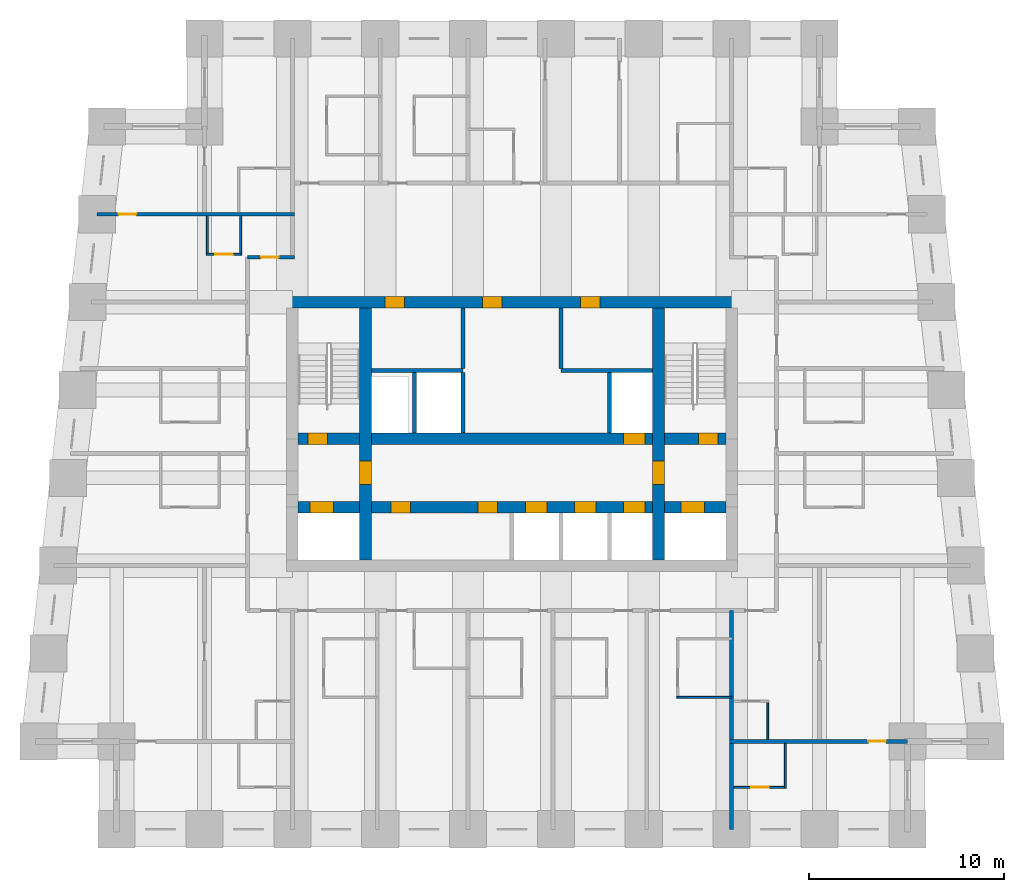
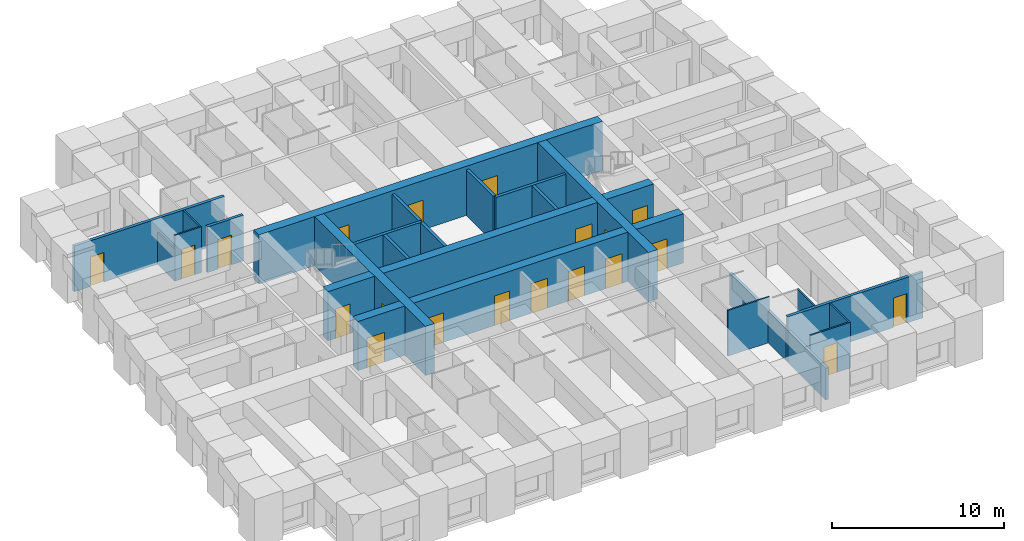
# One storey, part 4 of 8: 23 walls, 20 doors, 20 openings.
"""IFC4 building model written with IfcOpenShell, lengths in metres."""

from ifc_helpers import new_model, si_unit, direction, frame, frame_2d, origin, place, context, subcontext, project, spatial, rectangle, extrude, material, layer, layer_set, type_object, element, fill, save


model = new_model("IFC4")

# Units and contexts
model_context = context("Model", 3, precision=1e-05, world=origin(), true_north=direction((0.0, 1.0)))
body_context = subcontext(model_context, "Body", "Model", "MODEL_VIEW")
ifc_project = project(units=[si_unit("LENGTHUNIT", "METRE"), si_unit("AREAUNIT", "SQUARE_METRE"), si_unit("VOLUMEUNIT", "CUBIC_METRE"), si_unit("PLANEANGLEUNIT", "RADIAN"), si_unit("MASSUNIT", "GRAM", prefix="KILO")], contexts=[model_context])

# Site, building, storey
site_placement = place(None, origin())
site = spatial("IfcSite", under=ifc_project, at=site_placement, CompositionType="ELEMENT")
building_placement = place(site_placement, origin())
building = spatial("IfcBuilding", under=site, at=building_placement, Name="Kilele Tower Hotel", CompositionType="ELEMENT")
storey_placement = place(building_placement, frame((0.0, 0.0, 100.39990234375)))
storey = spatial("IfcBuildingStorey", under=building, at=storey_placement, Name="L25", CompositionType="ELEMENT", Elevation=100.39990234375)

# Walls
ifc_material_1 = material(Name="Moisture-resistant board")
ifc_layer_1 = layer(ifc_material_1, 0.10009765625)
ifc_layer_set_1 = layer_set([ifc_layer_1], Name="Moisture-resistant board")
wall_type_1 = type_object("IfcWallType", Name="Bathroom partition 100", PredefinedType="PLUMBINGWALL", material=ifc_layer_set_1)
wall_1_placement = place(storey_placement, frame((33.199951171875, 6.75, 0.0), z_axis=(0.0, 0.0, 1.0), x_axis=(1.0, 0.0, 0.0)))
element("IfcWall", 1, at=wall_1_placement, inside=storey, type_object=wall_type_1, Name="Bathroom partition 100 L25", PredefinedType="PLUMBINGWALL", context=body_context, shape_type="SweptSolid", body=[
    extrude(rectangle(XDim=2.800048828125, YDim=0.10009765625, at=frame_2d((1.39990234375, 0.0))), origin(), (0.0, 0.0, 1.0), 3.25),
])
wall_2_placement = place(storey_placement, frame((37.85009765625, 4.60009765625, 0.0), z_axis=(0.0, 0.0, 1.0), x_axis=(0.0, 1.0, 0.0)))
element("IfcWall", 2, at=wall_2_placement, inside=storey, type_object=wall_type_1, Name="Bathroom partition 100 L25", PredefinedType="PLUMBINGWALL", context=body_context, shape_type="SweptSolid", body=[
    extrude(rectangle(XDim=2.0, YDim=0.10009765625, at=frame_2d((1.0, 0.0))), origin(), (0.0, 0.0, 1.0), 3.25),
])
wall_3_placement = place(storey_placement, frame((38.75, 4.39990234375, 0.0), z_axis=(0.0, 0.0, 1.0), x_axis=(0.0, -1.0, 0.0)))
element("IfcWall", 3, at=wall_3_placement, inside=storey, type_object=wall_type_1, Name="Bathroom partition 100 L25", PredefinedType="PLUMBINGWALL", context=body_context, shape_type="SweptSolid", body=[
    extrude(rectangle(XDim=2.2998046875, YDim=0.10009765625, at=frame_2d((1.14990234375, 0.0))), origin(), (0.0, 0.0, 1.0), 3.25),
])

# Wall, opening, door
wall_4_placement = place(storey_placement, frame((36.10009765625, 2.14990234375, 0.0), z_axis=(0.0, 0.0, 1.0), x_axis=(1.0, 0.0, 0.0)))
wall_4 = element("IfcWall", 4, at=wall_4_placement, inside=storey, type_object=wall_type_1, Name="Bathroom partition 100 L25", PredefinedType="PLUMBINGWALL", context=body_context, shape_type="SweptSolid", body=[
    extrude(rectangle(XDim=2.699951171875, YDim=0.10009765625, at=frame_2d((1.35009765625, 0.0))), origin(), (0.0, 0.0, 1.0), 3.25),
])
opening_1_placement = place(wall_4_placement, frame((1.7998046875, 0.0, 0.0), z_axis=(0.0, 0.0, 1.0), x_axis=(-1.0, 0.0, 0.0)))
opening_1 = element("IfcOpeningElement", 5, at=opening_1_placement, cuts=wall_4, Name="Opening D2A", PredefinedType="OPENING", context=body_context, shape_type="SweptSolid", body=[
    extrude(rectangle(XDim=0.89990234375, YDim=2.10009765625, at=frame_2d((0.449951171875, 1.050048828125))), frame((0.0, 0.06005859375, 0.0), z_axis=(0.0, -1.0, 0.0), x_axis=(1.0, 0.0, 0.0)), (0.0, 0.0, 1.0), 0.1201171875),
])
ifc_material_2 = material(Name="Timber door leaf in hardwood frame", Category="wood")
door_type_1 = type_object("IfcDoorType", Name="Bathroom door 900", OperationType="SINGLE_SWING_LEFT", PredefinedType="DOOR", material=ifc_material_2)
door_1_placement = place(opening_1_placement, origin())
door_1 = element("IfcDoor", 6, at=door_1_placement, inside=storey, type_object=door_type_1, Name="Bathroom door 2522B", OperationType="SINGLE_SWING_RIGHT", OverallHeight=2.10009765625, OverallWidth=0.89990234375, PredefinedType="DOOR", context=body_context, shape_type="SweptSolid", body=[
    extrude(rectangle(XDim=0.89990234375, YDim=2.10009765625, at=frame_2d((0.449951171875, 1.050048828125))), frame((0.0, 0.02490234375, 0.0), z_axis=(0.0, -1.0, 0.0), x_axis=(1.0, 0.0, 0.0)), (0.0, 0.0, 1.0), 0.050048828125),
])
fill(opening_1, door_1)

# Walls
wall_5_placement = place(storey_placement, frame((9.14990234375, 31.39990234375, 0.0), z_axis=(0.0, 0.0, 1.0), x_axis=(0.0, -1.0, 0.0)))
element("IfcWall", 7, at=wall_5_placement, inside=storey, type_object=wall_type_1, Name="Bathroom partition 100 L25", PredefinedType="PLUMBINGWALL", context=body_context, shape_type="SweptSolid", body=[
    extrude(rectangle(XDim=2.0, YDim=0.10009765625, at=frame_2d((1.0, 0.0))), origin(), (0.0, 0.0, 1.0), 2.25),
])
wall_6_placement = place(storey_placement, frame((10.85009765625, 31.39990234375, 0.0), z_axis=(0.0, 0.0, 1.0), x_axis=(0.0, -1.0, 0.0)))
element("IfcWall", 8, at=wall_6_placement, inside=storey, type_object=wall_type_1, Name="Bathroom partition 100 L25", PredefinedType="PLUMBINGWALL", context=body_context, shape_type="SweptSolid", body=[
    extrude(rectangle(XDim=2.0, YDim=0.10009765625, at=frame_2d((1.0, 0.0))), origin(), (0.0, 0.0, 1.0), 3.25),
])

# Wall, opening, door
wall_7_placement = place(storey_placement, frame((10.89990234375, 29.449951171875, 0.0), z_axis=(0.0, 0.0, 1.0), x_axis=(-1.0, 0.0, 0.0)))
wall_7 = element("IfcWall", 9, at=wall_7_placement, inside=storey, type_object=wall_type_1, Name="Bathroom partition 100 L25", PredefinedType="PLUMBINGWALL", context=body_context, shape_type="SweptSolid", body=[
    extrude(rectangle(XDim=1.7998046875, YDim=0.10009765625, at=frame_2d((0.89990234375, 0.0))), origin(), (0.0, 0.0, 1.0), 3.25),
])
opening_2_placement = place(wall_7_placement, frame((0.449951171875, 0.0, 0.0)))
opening_2 = element("IfcOpeningElement", 10, at=opening_2_placement, cuts=wall_7, Name="Opening D2A", PredefinedType="OPENING", context=body_context, shape_type="SweptSolid", body=[
    extrude(rectangle(XDim=0.89990234375, YDim=2.10009765625, at=frame_2d((0.449951171875, 1.050048828125))), frame((0.0, 0.06005859375, 0.0), z_axis=(0.0, -1.0, 0.0), x_axis=(1.0, 0.0, 0.0)), (0.0, 0.0, 1.0), 0.1201171875),
])
door_2_placement = place(opening_2_placement, origin())
door_2 = element("IfcDoor", 11, at=door_2_placement, inside=storey, type_object=door_type_1, Name="Bathroom door 2526P", OperationType="SINGLE_SWING_LEFT", OverallHeight=2.10009765625, OverallWidth=0.89990234375, PredefinedType="DOOR", context=body_context, shape_type="SweptSolid", body=[
    extrude(rectangle(XDim=0.89990234375, YDim=2.10009765625, at=frame_2d((0.449951171875, 1.050048828125))), frame((0.0, 0.02490234375, 0.0), z_axis=(0.0, -1.0, 0.0), x_axis=(1.0, 0.0, 0.0)), (0.0, 0.0, 1.0), 0.050048828125),
])
fill(opening_2, door_2)

# Wall, openings, doors
ifc_material_3 = material(Name="Concrete C60/75", Category="concrete")
ifc_layer_2 = layer(ifc_material_3, 0.60009765625)
ifc_layer_set_2 = layer_set([ifc_layer_2], Name="Concrete C60/75")
wall_type_2 = type_object("IfcWallType", Name="Core wall 600 C60/75", PredefinedType="SHEAR", material=ifc_layer_set_2)
wall_8_placement = place(storey_placement, frame((36.300048828125, 27.0, 0.0), z_axis=(0.0, 0.0, 1.0), x_axis=(-1.0, 0.0, 0.0)))
wall_8 = element("IfcWall", 12, at=wall_8_placement, inside=storey, type_object=wall_type_2, Name="Core wall N L25", PredefinedType="SHEAR", context=body_context, shape_type="SweptSolid", body=[
    extrude(rectangle(XDim=23.10009765625, YDim=0.60009765625, at=frame_2d((11.550048828125, 0.0))), origin(), (0.0, 0.0, 1.0), 3.5),
])
opening_3_placement = place(wall_8_placement, frame((17.050048828125, 0.0, 0.0)))
opening_3 = element("IfcOpeningElement", 13, at=opening_3_placement, cuts=wall_8, Name="Opening D6", PredefinedType="OPENING", context=body_context, shape_type="SweptSolid", body=[
    extrude(rectangle(XDim=1.0, YDim=2.10009765625, at=frame_2d((0.5, 1.050048828125))), frame((0.0, 0.31005859375, 0.0), z_axis=(0.0, -1.0, 0.0), x_axis=(1.0, 0.0, 0.0)), (0.0, 0.0, 1.0), 0.6201171875),
])
opening_4_placement = place(wall_8_placement, frame((12.050048828125, 0.0, 0.0)))
opening_4 = element("IfcOpeningElement", 14, at=opening_4_placement, cuts=wall_8, Name="Opening D6", PredefinedType="OPENING", context=body_context, shape_type="SweptSolid", body=[
    extrude(rectangle(XDim=1.0, YDim=2.10009765625, at=frame_2d((0.5, 1.050048828125))), frame((0.0, 0.31005859375, 0.0), z_axis=(0.0, -1.0, 0.0), x_axis=(1.0, 0.0, 0.0)), (0.0, 0.0, 1.0), 0.6201171875),
])
opening_5_placement = place(wall_8_placement, frame((7.050048828125, 0.0, 0.0)))
opening_5 = element("IfcOpeningElement", 15, at=opening_5_placement, cuts=wall_8, Name="Opening D6", PredefinedType="OPENING", context=body_context, shape_type="SweptSolid", body=[
    extrude(rectangle(XDim=1.0, YDim=2.10009765625, at=frame_2d((0.5, 1.050048828125))), frame((0.0, 0.31005859375, 0.0), z_axis=(0.0, -1.0, 0.0), x_axis=(1.0, 0.0, 0.0)), (0.0, 0.0, 1.0), 0.6201171875),
])
ifc_material_4 = material(Name="Timber door leaf in hardwood frame", Category="wood")
door_type_2 = type_object("IfcDoorType", Name="Riser door 1000", OperationType="SINGLE_SWING_LEFT", PredefinedType="DOOR", material=ifc_material_4)
door_3_placement = place(opening_3_placement, origin())
door_3 = element("IfcDoor", 16, at=door_3_placement, inside=storey, type_object=door_type_2, Name="Service riser door L25", OperationType="SINGLE_SWING_RIGHT", OverallHeight=2.10009765625, OverallWidth=1.0, PredefinedType="DOOR", context=body_context, shape_type="SweptSolid", body=[
    extrude(rectangle(XDim=1.0, YDim=2.10009765625, at=frame_2d((0.5, 1.050048828125))), frame((0.0, 0.2998046875, 0.0), z_axis=(0.0, -1.0, 0.0), x_axis=(1.0, 0.0, 0.0)), (0.0, 0.0, 1.0), 0.599609375),
])
fill(opening_3, door_3)
door_4_placement = place(opening_4_placement, origin())
door_4 = element("IfcDoor", 17, at=door_4_placement, inside=storey, type_object=door_type_2, Name="Housekeeping linen room door L25", OperationType="SINGLE_SWING_RIGHT", OverallHeight=2.10009765625, OverallWidth=1.0, PredefinedType="DOOR", context=body_context, shape_type="SweptSolid", body=[
    extrude(rectangle(XDim=1.0, YDim=2.10009765625, at=frame_2d((0.5, 1.050048828125))), frame((0.0, 0.2998046875, 0.0), z_axis=(0.0, -1.0, 0.0), x_axis=(1.0, 0.0, 0.0)), (0.0, 0.0, 1.0), 0.599609375),
])
fill(opening_4, door_4)
door_5_placement = place(opening_5_placement, origin())
door_5 = element("IfcDoor", 18, at=door_5_placement, inside=storey, type_object=door_type_2, Name="Electrical riser door L25", OperationType="SINGLE_SWING_RIGHT", OverallHeight=2.10009765625, OverallWidth=1.0, PredefinedType="DOOR", context=body_context, shape_type="SweptSolid", body=[
    extrude(rectangle(XDim=1.0, YDim=2.10009765625, at=frame_2d((0.5, 1.050048828125))), frame((0.0, 0.2998046875, 0.0), z_axis=(0.0, -1.0, 0.0), x_axis=(1.0, 0.0, 0.0)), (0.0, 0.0, 1.0), 0.599609375),
])
fill(opening_5, door_5)

# Wall, opening, door
wall_9_placement = place(storey_placement, frame((17.25, 13.800048828125, 0.0), z_axis=(0.0, 0.0, 1.0), x_axis=(0.0, 1.0, 0.0)))
wall_9 = element("IfcWall", 19, at=wall_9_placement, inside=storey, type_object=wall_type_2, Name="Core wall IW L25", PredefinedType="SHEAR", context=body_context, shape_type="SweptSolid", body=[
    extrude(rectangle(XDim=12.89990234375, YDim=0.60009765625, at=frame_2d((6.449951171875, 0.0))), origin(), (0.0, 0.0, 1.0), 3.5),
])
opening_6_placement = place(wall_9_placement, frame((3.85009765625, 0.0, 0.0)))
opening_6 = element("IfcOpeningElement", 20, at=opening_6_placement, cuts=wall_9, Name="Opening D4", PredefinedType="OPENING", context=body_context, shape_type="SweptSolid", body=[
    extrude(rectangle(XDim=1.199951171875, YDim=2.10009765625, at=frame_2d((0.60009765625, 1.050048828125))), frame((0.0, 0.31005859375, 0.0), z_axis=(0.0, -1.0, 0.0), x_axis=(1.0, 0.0, 0.0)), (0.0, 0.0, 1.0), 0.6201171875),
])
ifc_material_5 = material(Name="Timber door leaf in hardwood frame", Category="wood")
door_type_3 = type_object("IfcDoorType", Name="Firefighting lobby door 1200", OperationType="SINGLE_SWING_LEFT", PredefinedType="DOOR", material=ifc_material_5)
door_6_placement = place(opening_6_placement, origin())
door_6 = element("IfcDoor", 21, at=door_6_placement, inside=storey, type_object=door_type_3, Name="Lobby door L25", OperationType="SINGLE_SWING_LEFT", OverallHeight=2.10009765625, OverallWidth=1.199951171875, PredefinedType="DOOR", context=body_context, shape_type="SweptSolid", body=[
    extrude(rectangle(XDim=1.199951171875, YDim=2.10009765625, at=frame_2d((0.60009765625, 1.050048828125))), frame((0.0, 0.2998046875, 0.0), z_axis=(0.0, -1.0, 0.0), x_axis=(1.0, 0.0, 0.0)), (0.0, 0.0, 1.0), 0.599609375),
])
fill(opening_6, door_6)

wall_10_placement = place(storey_placement, frame((32.25, 13.800048828125, 0.0), z_axis=(0.0, 0.0, 1.0), x_axis=(0.0, 1.0, 0.0)))
wall_10 = element("IfcWall", 22, at=wall_10_placement, inside=storey, type_object=wall_type_2, Name="Core wall IE L25", PredefinedType="SHEAR", context=body_context, shape_type="SweptSolid", body=[
    extrude(rectangle(XDim=12.89990234375, YDim=0.60009765625, at=frame_2d((6.449951171875, 0.0))), origin(), (0.0, 0.0, 1.0), 3.5),
])
opening_7_placement = place(wall_10_placement, frame((5.050048828125, 0.0, 0.0), z_axis=(0.0, 0.0, 1.0), x_axis=(-1.0, 0.0, 0.0)))
opening_7 = element("IfcOpeningElement", 23, at=opening_7_placement, cuts=wall_10, Name="Opening D4", PredefinedType="OPENING", context=body_context, shape_type="SweptSolid", body=[
    extrude(rectangle(XDim=1.199951171875, YDim=2.10009765625, at=frame_2d((0.60009765625, 1.050048828125))), frame((0.0, 0.31005859375, 0.0), z_axis=(0.0, -1.0, 0.0), x_axis=(1.0, 0.0, 0.0)), (0.0, 0.0, 1.0), 0.6201171875),
])
door_7_placement = place(opening_7_placement, origin())
door_7 = element("IfcDoor", 24, at=door_7_placement, inside=storey, type_object=door_type_3, Name="Lobby door L25", OperationType="SINGLE_SWING_RIGHT", OverallHeight=2.10009765625, OverallWidth=1.199951171875, PredefinedType="DOOR", context=body_context, shape_type="SweptSolid", body=[
    extrude(rectangle(XDim=1.199951171875, YDim=2.10009765625, at=frame_2d((0.60009765625, 1.050048828125))), frame((0.0, 0.2998046875, 0.0), z_axis=(0.0, -1.0, 0.0), x_axis=(1.0, 0.0, 0.0)), (0.0, 0.0, 1.0), 0.599609375),
])
fill(opening_7, door_7)

# Wall, openings, doors
wall_11_placement = place(storey_placement, frame((13.800048828125, 16.5, 0.0), z_axis=(0.0, 0.0, 1.0), x_axis=(1.0, 0.0, 0.0)))
wall_11 = element("IfcWall", 25, at=wall_11_placement, inside=storey, type_object=wall_type_2, Name="Core wall LS L25", PredefinedType="SHEAR", context=body_context, shape_type="SweptSolid", body=[
    extrude(rectangle(XDim=21.89990234375, YDim=0.60009765625, at=frame_2d((10.949951171875, 0.0))), origin(), (0.0, 0.0, 1.0), 3.5),
])
opening_8_placement = place(wall_11_placement, frame((11.64990234375, 0.0, 0.0)))
opening_8 = element("IfcOpeningElement", 26, at=opening_8_placement, cuts=wall_11, Name="Opening LD1", PredefinedType="OPENING", context=body_context, shape_type="SweptSolid", body=[
    extrude(rectangle(XDim=1.10009765625, YDim=2.10009765625, at=frame_2d((0.550048828125, 1.050048828125))), frame((0.0, 0.31005859375, 0.0), z_axis=(0.0, -1.0, 0.0), x_axis=(1.0, 0.0, 0.0)), (0.0, 0.0, 1.0), 0.6201171875),
])
opening_9_placement = place(wall_11_placement, frame((14.14990234375, 0.0, 0.0)))
opening_9 = element("IfcOpeningElement", 27, at=opening_9_placement, cuts=wall_11, Name="Opening LD1", PredefinedType="OPENING", context=body_context, shape_type="SweptSolid", body=[
    extrude(rectangle(XDim=1.10009765625, YDim=2.10009765625, at=frame_2d((0.550048828125, 1.050048828125))), frame((0.0, 0.31005859375, 0.0), z_axis=(0.0, -1.0, 0.0), x_axis=(1.0, 0.0, 0.0)), (0.0, 0.0, 1.0), 0.6201171875),
])
opening_10_placement = place(wall_11_placement, frame((16.64990234375, 0.0, 0.0)))
opening_10 = element("IfcOpeningElement", 28, at=opening_10_placement, cuts=wall_11, Name="Opening LD1", PredefinedType="OPENING", context=body_context, shape_type="SweptSolid", body=[
    extrude(rectangle(XDim=1.10009765625, YDim=2.10009765625, at=frame_2d((0.550048828125, 1.050048828125))), frame((0.0, 0.31005859375, 0.0), z_axis=(0.0, -1.0, 0.0), x_axis=(1.0, 0.0, 0.0)), (0.0, 0.0, 1.0), 0.6201171875),
])
opening_11_placement = place(wall_11_placement, frame((5.75, 0.0, 0.0), z_axis=(0.0, 0.0, 1.0), x_axis=(-1.0, 0.0, 0.0)))
opening_11 = element("IfcOpeningElement", 29, at=opening_11_placement, cuts=wall_11, Name="Opening D11", PredefinedType="OPENING", context=body_context, shape_type="SweptSolid", body=[
    extrude(rectangle(XDim=1.0, YDim=2.10009765625, at=frame_2d((0.5, 1.050048828125))), frame((0.0, 0.31005859375, 0.0), z_axis=(0.0, -1.0, 0.0), x_axis=(1.0, 0.0, 0.0)), (0.0, 0.0, 1.0), 0.6201171875),
])
opening_12_placement = place(wall_11_placement, frame((10.199951171875, 0.0, 0.0), z_axis=(0.0, 0.0, 1.0), x_axis=(-1.0, 0.0, 0.0)))
opening_12 = element("IfcOpeningElement", 30, at=opening_12_placement, cuts=wall_11, Name="Opening D11", PredefinedType="OPENING", context=body_context, shape_type="SweptSolid", body=[
    extrude(rectangle(XDim=1.0, YDim=2.10009765625, at=frame_2d((0.5, 1.050048828125))), frame((0.0, 0.31005859375, 0.0), z_axis=(0.0, -1.0, 0.0), x_axis=(1.0, 0.0, 0.0)), (0.0, 0.0, 1.0), 0.6201171875),
])
opening_13_placement = place(wall_11_placement, frame((0.60009765625, 0.0, 0.0)))
opening_13 = element("IfcOpeningElement", 31, at=opening_13_placement, cuts=wall_11, Name="Opening LD2", PredefinedType="OPENING", context=body_context, shape_type="SweptSolid", body=[
    extrude(rectangle(XDim=1.199951171875, YDim=2.10009765625, at=frame_2d((0.60009765625, 1.050048828125))), frame((0.0, 0.31005859375, 0.0), z_axis=(0.0, -1.0, 0.0), x_axis=(1.0, 0.0, 0.0)), (0.0, 0.0, 1.0), 0.6201171875),
])
opening_14_placement = place(wall_11_placement, frame((19.60009765625, 0.0, 0.0)))
opening_14 = element("IfcOpeningElement", 32, at=opening_14_placement, cuts=wall_11, Name="Opening LD2", PredefinedType="OPENING", context=body_context, shape_type="SweptSolid", body=[
    extrude(rectangle(XDim=1.199951171875, YDim=2.10009765625, at=frame_2d((0.60009765625, 1.050048828125))), frame((0.0, 0.31005859375, 0.0), z_axis=(0.0, -1.0, 0.0), x_axis=(1.0, 0.0, 0.0)), (0.0, 0.0, 1.0), 0.6201171875),
])
ifc_material_6 = material(Name="Timber door leaf in hardwood frame", Category="wood")
door_type_4 = type_object("IfcDoorType", Name="Core store door 1000", OperationType="SINGLE_SWING_LEFT", PredefinedType="DOOR", material=ifc_material_6)
door_8_placement = place(opening_11_placement, origin())
door_8 = element("IfcDoor", 33, at=door_8_placement, inside=storey, type_object=door_type_4, Name="Core room door L1 L25", OperationType="SINGLE_SWING_RIGHT", OverallHeight=2.10009765625, OverallWidth=1.0, PredefinedType="DOOR", context=body_context, shape_type="SweptSolid", body=[
    extrude(rectangle(XDim=1.0, YDim=2.10009765625, at=frame_2d((0.5, 1.050048828125))), frame((0.0, 0.2998046875, 0.0), z_axis=(0.0, -1.0, 0.0), x_axis=(1.0, 0.0, 0.0)), (0.0, 0.0, 1.0), 0.599609375),
])
fill(opening_11, door_8)
door_9_placement = place(opening_12_placement, origin())
door_9 = element("IfcDoor", 34, at=door_9_placement, inside=storey, type_object=door_type_4, Name="Core room door L3 L25", OperationType="SINGLE_SWING_LEFT", OverallHeight=2.10009765625, OverallWidth=1.0, PredefinedType="DOOR", context=body_context, shape_type="SweptSolid", body=[
    extrude(rectangle(XDim=1.0, YDim=2.10009765625, at=frame_2d((0.5, 1.050048828125))), frame((0.0, 0.2998046875, 0.0), z_axis=(0.0, -1.0, 0.0), x_axis=(1.0, 0.0, 0.0)), (0.0, 0.0, 1.0), 0.599609375),
])
fill(opening_12, door_9)
ifc_material_7 = material(Name="Steel lift landing door", Category="steel")
door_type_5 = type_object("IfcDoorType", Name="Firefighting lift landing door 1200", OperationType="SLIDING_TO_LEFT", PredefinedType="DOOR", material=ifc_material_7)
door_10_placement = place(opening_13_placement, origin())
door_10 = element("IfcDoor", 35, at=door_10_placement, inside=storey, type_object=door_type_5, Name="Landing door FFW L25", OperationType="SLIDING_TO_LEFT", OverallHeight=2.10009765625, OverallWidth=1.199951171875, PredefinedType="DOOR", context=body_context, shape_type="SweptSolid", body=[
    extrude(rectangle(XDim=1.199951171875, YDim=2.10009765625, at=frame_2d((0.60009765625, 1.050048828125))), frame((0.0, 0.2998046875, 0.0), z_axis=(0.0, -1.0, 0.0), x_axis=(1.0, 0.0, 0.0)), (0.0, 0.0, 1.0), 0.599609375),
])
fill(opening_13, door_10)
door_11_placement = place(opening_14_placement, origin())
door_11 = element("IfcDoor", 36, at=door_11_placement, inside=storey, type_object=door_type_5, Name="Landing door FFE L25", OperationType="SLIDING_TO_LEFT", OverallHeight=2.10009765625, OverallWidth=1.199951171875, PredefinedType="DOOR", context=body_context, shape_type="SweptSolid", body=[
    extrude(rectangle(XDim=1.199951171875, YDim=2.10009765625, at=frame_2d((0.60009765625, 1.050048828125))), frame((0.0, 0.2998046875, 0.0), z_axis=(0.0, -1.0, 0.0), x_axis=(1.0, 0.0, 0.0)), (0.0, 0.0, 1.0), 0.599609375),
])
fill(opening_14, door_11)
ifc_material_8 = material(Name="Steel lift landing door", Category="steel")
door_type_6 = type_object("IfcDoorType", Name="Lift landing door 1100", OperationType="SLIDING_TO_LEFT", PredefinedType="DOOR", material=ifc_material_8)
door_12_placement = place(opening_8_placement, origin())
door_12 = element("IfcDoor", 37, at=door_12_placement, inside=storey, type_object=door_type_6, Name="Landing door M1 L25", OperationType="SLIDING_TO_LEFT", OverallHeight=2.10009765625, OverallWidth=1.10009765625, PredefinedType="DOOR", context=body_context, shape_type="SweptSolid", body=[
    extrude(rectangle(XDim=1.10009765625, YDim=2.10009765625, at=frame_2d((0.550048828125, 1.050048828125))), frame((0.0, 0.2998046875, 0.0), z_axis=(0.0, -1.0, 0.0), x_axis=(1.0, 0.0, 0.0)), (0.0, 0.0, 1.0), 0.599609375),
])
fill(opening_8, door_12)
door_13_placement = place(opening_9_placement, origin())
door_13 = element("IfcDoor", 38, at=door_13_placement, inside=storey, type_object=door_type_6, Name="Landing door M2 L25", OperationType="SLIDING_TO_LEFT", OverallHeight=2.10009765625, OverallWidth=1.10009765625, PredefinedType="DOOR", context=body_context, shape_type="SweptSolid", body=[
    extrude(rectangle(XDim=1.10009765625, YDim=2.10009765625, at=frame_2d((0.550048828125, 1.050048828125))), frame((0.0, 0.2998046875, 0.0), z_axis=(0.0, -1.0, 0.0), x_axis=(1.0, 0.0, 0.0)), (0.0, 0.0, 1.0), 0.599609375),
])
fill(opening_9, door_13)
door_14_placement = place(opening_10_placement, origin())
door_14 = element("IfcDoor", 39, at=door_14_placement, inside=storey, type_object=door_type_6, Name="Landing door M3 L25", OperationType="SLIDING_TO_LEFT", OverallHeight=2.10009765625, OverallWidth=1.10009765625, PredefinedType="DOOR", context=body_context, shape_type="SweptSolid", body=[
    extrude(rectangle(XDim=1.10009765625, YDim=2.10009765625, at=frame_2d((0.550048828125, 1.050048828125))), frame((0.0, 0.2998046875, 0.0), z_axis=(0.0, -1.0, 0.0), x_axis=(1.0, 0.0, 0.0)), (0.0, 0.0, 1.0), 0.599609375),
])
fill(opening_10, door_14)

wall_12_placement = place(storey_placement, frame((13.800048828125, 20.0, 0.0), z_axis=(0.0, 0.0, 1.0), x_axis=(1.0, 0.0, 0.0)))
wall_12 = element("IfcWall", 40, at=wall_12_placement, inside=storey, type_object=wall_type_2, Name="Core wall LN L25", PredefinedType="SHEAR", context=body_context, shape_type="SweptSolid", body=[
    extrude(rectangle(XDim=21.89990234375, YDim=0.60009765625, at=frame_2d((10.949951171875, 0.0))), origin(), (0.0, 0.0, 1.0), 3.5),
])
opening_15_placement = place(wall_12_placement, frame((0.5, 0.0, 0.0)))
opening_15 = element("IfcOpeningElement", 41, at=opening_15_placement, cuts=wall_12, Name="Opening D5", PredefinedType="OPENING", context=body_context, shape_type="SweptSolid", body=[
    extrude(rectangle(XDim=1.0, YDim=2.10009765625, at=frame_2d((0.5, 1.050048828125))), frame((0.0, 0.31005859375, 0.0), z_axis=(0.0, -1.0, 0.0), x_axis=(1.0, 0.0, 0.0)), (0.0, 0.0, 1.0), 0.6201171875),
])
opening_16_placement = place(wall_12_placement, frame((20.5, 0.0, 0.0)))
opening_16 = element("IfcOpeningElement", 42, at=opening_16_placement, cuts=wall_12, Name="Opening D5", PredefinedType="OPENING", context=body_context, shape_type="SweptSolid", body=[
    extrude(rectangle(XDim=1.0, YDim=2.10009765625, at=frame_2d((0.5, 1.050048828125))), frame((0.0, 0.31005859375, 0.0), z_axis=(0.0, -1.0, 0.0), x_axis=(1.0, 0.0, 0.0)), (0.0, 0.0, 1.0), 0.6201171875),
])
opening_17_placement = place(wall_12_placement, frame((16.64990234375, 0.0, 0.0)))
opening_17 = element("IfcOpeningElement", 43, at=opening_17_placement, cuts=wall_12, Name="Opening LD1", PredefinedType="OPENING", context=body_context, shape_type="SweptSolid", body=[
    extrude(rectangle(XDim=1.10009765625, YDim=2.10009765625, at=frame_2d((0.550048828125, 1.050048828125))), frame((0.0, 0.31005859375, 0.0), z_axis=(0.0, -1.0, 0.0), x_axis=(1.0, 0.0, 0.0)), (0.0, 0.0, 1.0), 0.6201171875),
])
door_15_placement = place(opening_17_placement, origin())
door_15 = element("IfcDoor", 44, at=door_15_placement, inside=storey, type_object=door_type_6, Name="Landing door G1 L25", OperationType="SLIDING_TO_LEFT", OverallHeight=2.10009765625, OverallWidth=1.10009765625, PredefinedType="DOOR", context=body_context, shape_type="SweptSolid", body=[
    extrude(rectangle(XDim=1.10009765625, YDim=2.10009765625, at=frame_2d((0.550048828125, 1.050048828125))), frame((0.0, 0.2998046875, 0.0), z_axis=(0.0, -1.0, 0.0), x_axis=(1.0, 0.0, 0.0)), (0.0, 0.0, 1.0), 0.599609375),
])
fill(opening_17, door_15)
ifc_material_9 = material(Name="Timber door leaf in hardwood frame", Category="wood")
door_type_7 = type_object("IfcDoorType", Name="Stair door 1000", OperationType="SINGLE_SWING_LEFT", PredefinedType="DOOR", material=ifc_material_9)
door_16_placement = place(opening_15_placement, origin())
door_16 = element("IfcDoor", 45, at=door_16_placement, inside=storey, type_object=door_type_7, Name="Stair 1 door L25", OperationType="SINGLE_SWING_LEFT", OverallHeight=2.10009765625, OverallWidth=1.0, PredefinedType="DOOR", context=body_context, shape_type="SweptSolid", body=[
    extrude(rectangle(XDim=1.0, YDim=2.10009765625, at=frame_2d((0.5, 1.050048828125))), frame((0.0, 0.2998046875, 0.0), z_axis=(0.0, -1.0, 0.0), x_axis=(1.0, 0.0, 0.0)), (0.0, 0.0, 1.0), 0.599609375),
])
fill(opening_15, door_16)
door_17_placement = place(opening_16_placement, origin())
door_17 = element("IfcDoor", 46, at=door_17_placement, inside=storey, type_object=door_type_7, Name="Stair 2 door L25", OperationType="SINGLE_SWING_RIGHT", OverallHeight=2.10009765625, OverallWidth=1.0, PredefinedType="DOOR", context=body_context, shape_type="SweptSolid", body=[
    extrude(rectangle(XDim=1.0, YDim=2.10009765625, at=frame_2d((0.5, 1.050048828125))), frame((0.0, 0.2998046875, 0.0), z_axis=(0.0, -1.0, 0.0), x_axis=(1.0, 0.0, 0.0)), (0.0, 0.0, 1.0), 0.599609375),
])
fill(opening_16, door_17)

# Wall, opening, door
ifc_material_10 = material(Name="Blockwork, plastered both sides", Category="masonry")
ifc_layer_3 = layer(ifc_material_10, 0.199951171875)
ifc_layer_set_3 = layer_set([ifc_layer_3], Name="Blockwork, plastered both sides")
wall_type_3 = type_object("IfcWallType", Name="Corridor wall 200", PredefinedType="PARTITIONING", material=ifc_layer_set_3)
wall_13_placement = place(storey_placement, frame((11.199951171875, 29.300048828125, 0.0), z_axis=(0.0, 0.0, 1.0), x_axis=(1.0, 0.0, 0.0)))
wall_13 = element("IfcWall", 47, at=wall_13_placement, inside=storey, type_object=wall_type_3, Name="Corridor wall 200 L25", PredefinedType="PARTITIONING", context=body_context, shape_type="SweptSolid", body=[
    extrude(rectangle(XDim=2.400146484375, YDim=0.199951171875, at=frame_2d((1.2001953125, 0.0))), origin(), (0.0, 0.0, 1.0), 3.25),
])
opening_18_placement = place(wall_13_placement, frame((0.699951171875, 0.0, 0.0)))
opening_18 = element("IfcOpeningElement", 48, at=opening_18_placement, cuts=wall_13, Name="Opening D1", PredefinedType="OPENING", context=body_context, shape_type="SweptSolid", body=[
    extrude(rectangle(XDim=0.89990234375, YDim=2.10009765625, at=frame_2d((0.449951171875, 1.050048828125))), frame((0.0, 0.10986328125, 0.0), z_axis=(0.0, -1.0, 0.0), x_axis=(1.0, 0.0, 0.0)), (0.0, 0.0, 1.0), 0.219970703125),
])
ifc_material_11 = material(Name="Timber door leaf in hardwood frame", Category="wood")
door_type_8 = type_object("IfcDoorType", Name="Guest room entrance door 900", OperationType="SINGLE_SWING_LEFT", PredefinedType="DOOR", material=ifc_material_11)
door_18_placement = place(opening_18_placement, origin())
door_18 = element("IfcDoor", 49, at=door_18_placement, inside=storey, type_object=door_type_8, Name="Room entrance 2526", OperationType="SINGLE_SWING_RIGHT", OverallHeight=2.10009765625, OverallWidth=0.89990234375, PredefinedType="DOOR", context=body_context, shape_type="SweptSolid", body=[
    extrude(rectangle(XDim=0.89990234375, YDim=2.10009765625, at=frame_2d((0.449951171875, 1.050048828125))), frame((0.0, 0.02490234375, 0.0), z_axis=(0.0, -1.0, 0.0), x_axis=(1.0, 0.0, 0.0)), (0.0, 0.0, 1.0), 0.050048828125),
])
fill(opening_18, door_18)

# Wall
ifc_material_12 = material(Name="Blockwork, plastered both sides", Category="masonry")
ifc_layer_4 = layer(ifc_material_12, 0.199951171875)
ifc_layer_set_4 = layer_set([ifc_layer_4], Name="Blockwork, plastered both sides")
wall_type_4 = type_object("IfcWallType", Name="Party wall 200", PredefinedType="PARTITIONING", material=ifc_layer_set_4)
wall_14_placement = place(storey_placement, frame((36.0, 11.199951171875, 0.0), z_axis=(0.0, 0.0, 1.0), x_axis=(0.0, -1.0, 0.0)))
element("IfcWall", 50, at=wall_14_placement, inside=storey, type_object=wall_type_4, Name="Party wall 200 L25", PredefinedType="PARTITIONING", context=body_context, shape_type="SweptSolid", body=[
    extrude(rectangle(XDim=11.199951171875, YDim=0.199951171875, at=frame_2d((5.60009765625, 0.0))), origin(), (0.0, 0.0, 1.0), 2.25),
])

# Wall, opening, door
wall_15_placement = place(storey_placement, frame((35.89990234375, 4.5, 0.0), z_axis=(0.0, 0.0, 1.0), x_axis=(1.0, 0.0, 0.0)))
wall_15 = element("IfcWall", 51, at=wall_15_placement, inside=storey, type_object=wall_type_4, Name="Party wall 200 L25", PredefinedType="PARTITIONING", context=body_context, shape_type="SweptSolid", body=[
    extrude(rectangle(XDim=9.10009765625, YDim=0.199951171875, at=frame_2d((4.550048828125, 0.0))), origin(), (0.0, 0.0, 1.0), 3.25),
])
opening_19_placement = place(wall_15_placement, frame((7.10009765625, 0.0, 0.0)))
opening_19 = element("IfcOpeningElement", 52, at=opening_19_placement, cuts=wall_15, Name="Opening D3", PredefinedType="OPENING", context=body_context, shape_type="SweptSolid", body=[
    extrude(rectangle(XDim=0.89990234375, YDim=2.10009765625, at=frame_2d((0.449951171875, 1.050048828125))), frame((0.0, 0.10986328125, 0.0), z_axis=(0.0, -1.0, 0.0), x_axis=(1.0, 0.0, 0.0)), (0.0, 0.0, 1.0), 0.219970703125),
])
ifc_material_13 = material(Name="Timber door leaf in hardwood frame", Category="wood")
door_type_9 = type_object("IfcDoorType", Name="Suite internal door 900", OperationType="SINGLE_SWING_LEFT", PredefinedType="DOOR", material=ifc_material_13)
door_19_placement = place(opening_19_placement, origin())
door_19 = element("IfcDoor", 53, at=door_19_placement, inside=storey, type_object=door_type_9, Name="Suite door 2522", OperationType="SINGLE_SWING_RIGHT", OverallHeight=2.10009765625, OverallWidth=0.89990234375, PredefinedType="DOOR", context=body_context, shape_type="SweptSolid", body=[
    extrude(rectangle(XDim=0.89990234375, YDim=2.10009765625, at=frame_2d((0.449951171875, 1.050048828125))), frame((0.0, 0.02490234375, 0.0), z_axis=(0.0, -1.0, 0.0), x_axis=(1.0, 0.0, 0.0)), (0.0, 0.0, 1.0), 0.050048828125),
])
fill(opening_19, door_19)

wall_16_placement = place(storey_placement, frame((13.60009765625, 31.5, 0.0), z_axis=(0.0, 0.0, 1.0), x_axis=(-1.0, 0.0, 0.0)))
wall_16 = element("IfcWall", 54, at=wall_16_placement, inside=storey, type_object=wall_type_4, Name="Party wall 200 L25", PredefinedType="PARTITIONING", context=body_context, shape_type="SweptSolid", body=[
    extrude(rectangle(XDim=10.09912109375, YDim=0.199951171875, at=frame_2d((5.049560546875, 0.0))), origin(), (0.0, 0.0, 1.0), 3.25),
])
opening_20_placement = place(wall_16_placement, frame((8.9990234375, 0.0, 0.0), z_axis=(0.0, 0.0, 1.0), x_axis=(-1.0, 0.0, 0.0)))
opening_20 = element("IfcOpeningElement", 55, at=opening_20_placement, cuts=wall_16, Name="Opening D3", PredefinedType="OPENING", context=body_context, shape_type="SweptSolid", body=[
    extrude(rectangle(XDim=0.89990234375, YDim=2.10009765625, at=frame_2d((0.449951171875, 1.050048828125))), frame((0.0, 0.10986328125, 0.0), z_axis=(0.0, -1.0, 0.0), x_axis=(1.0, 0.0, 0.0)), (0.0, 0.0, 1.0), 0.219970703125),
])
door_20_placement = place(opening_20_placement, origin())
door_20 = element("IfcDoor", 56, at=door_20_placement, inside=storey, type_object=door_type_9, Name="Suite door 2527", OperationType="SINGLE_SWING_LEFT", OverallHeight=2.10009765625, OverallWidth=0.89990234375, PredefinedType="DOOR", context=body_context, shape_type="SweptSolid", body=[
    extrude(rectangle(XDim=0.89990234375, YDim=2.10009765625, at=frame_2d((0.449951171875, 1.050048828125))), frame((0.0, 0.02490234375, 0.0), z_axis=(0.0, -1.0, 0.0), x_axis=(1.0, 0.0, 0.0)), (0.0, 0.0, 1.0), 0.050048828125),
])
fill(opening_20, door_20)

# Walls
ifc_material_14 = material(Name="Blockwork, fire-rated", Category="masonry")
ifc_layer_5 = layer(ifc_material_14, 0.199951171875)
ifc_layer_set_5 = layer_set([ifc_layer_5], Name="Blockwork, fire-rated")
wall_type_5 = type_object("IfcWallType", Name="Shaft wall 200", PredefinedType="PARTITIONING", material=ifc_layer_set_5)
for number, where, z_axis, x_axis, name in (
    (57, (19.75, 20.300048828125, 0.0), (0.0, 0.0, 1.0), (0.0, 1.0, 0.0), "Shaft wall 200 L25"),
    (58, (22.25, 20.300048828125, 0.0), (0.0, 0.0, 1.0), (0.0, 1.0, 0.0), "Shaft wall 200 L25"),
    (59, (29.75, 20.300048828125, 0.0), (0.0, 0.0, 1.0), (0.0, 1.0, 0.0), "Shaft wall 200 L25"),
):
    element("IfcWall", number, at=place(storey_placement, frame(where, z_axis=z_axis, x_axis=x_axis)), inside=storey, type_object=wall_type_5, Name=name, PredefinedType="PARTITIONING", context=body_context, shape_type="SweptSolid", body=[
        extrude(rectangle(XDim=3.099853515625, YDim=0.199951171875, at=frame_2d((1.5498046875, 0.0))), origin(), (0.0, 0.0, 1.0), 3.25),
    ])
for number, where, z_axis, x_axis, name in (
    (60, (17.550048828125, 23.5, 0.0), (0.0, 0.0, 1.0), (1.0, 0.0, 0.0), "Shaft wall 200 L25"),
    (61, (27.25, 23.5, 0.0), (0.0, 0.0, 1.0), (1.0, 0.0, 0.0), "Shaft wall 200 L25"),
):
    element("IfcWall", number, at=place(storey_placement, frame(where, z_axis=z_axis, x_axis=x_axis)), inside=storey, type_object=wall_type_5, Name=name, PredefinedType="PARTITIONING", context=body_context, shape_type="SweptSolid", body=[
        extrude(rectangle(XDim=4.699951171875, YDim=0.199951171875, at=frame_2d((2.35009765625, 0.0))), origin(), (0.0, 0.0, 1.0), 3.25),
    ])
for number, where, z_axis, x_axis, name in (
    (62, (22.25, 23.60009765625, 0.0), (0.0, 0.0, 1.0), (0.0, 1.0, 0.0), "Shaft wall 200 L25"),
    (63, (27.25, 23.60009765625, 0.0), (0.0, 0.0, 1.0), (0.0, 1.0, 0.0), "Shaft wall 200 L25"),
):
    element("IfcWall", number, at=place(storey_placement, frame(where, z_axis=z_axis, x_axis=x_axis)), inside=storey, type_object=wall_type_5, Name=name, PredefinedType="PARTITIONING", context=body_context, shape_type="SweptSolid", body=[
        extrude(rectangle(XDim=3.099853515625, YDim=0.199951171875, at=frame_2d((1.5498046875, 0.0))), origin(), (0.0, 0.0, 1.0), 3.25),
    ])

save(model, "model.ifc")
